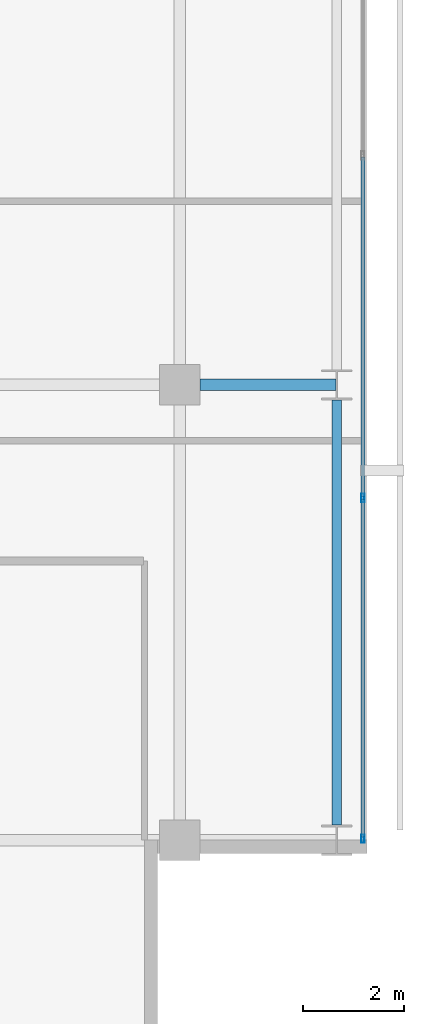
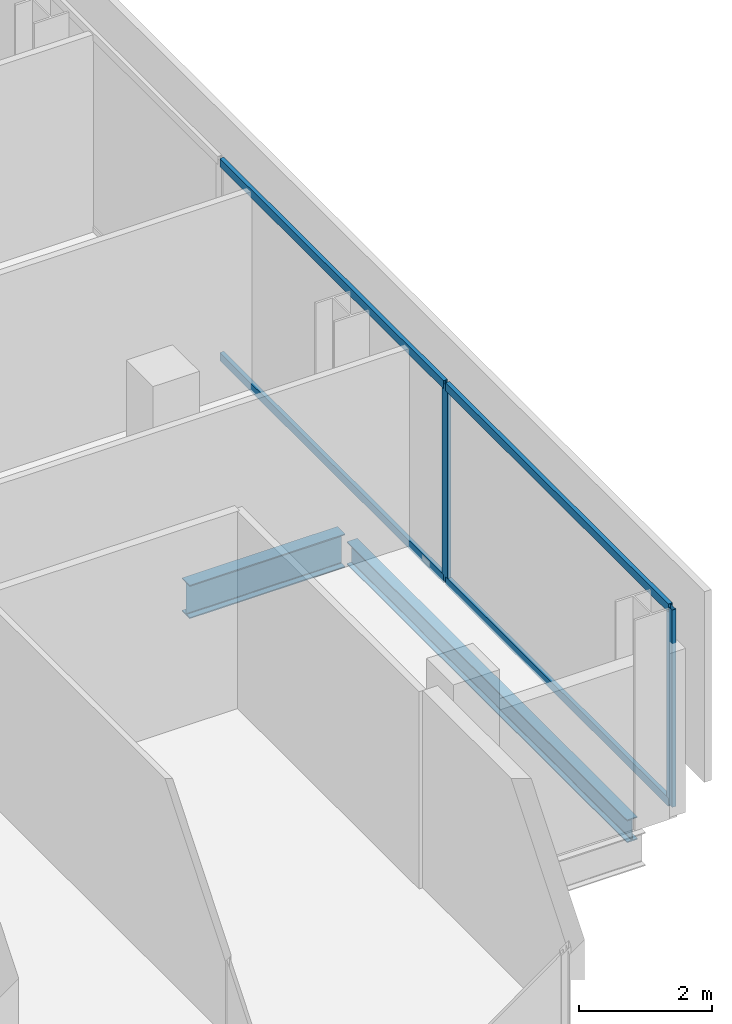
# One storey, part 15 of 33: 6 members, 2 beams, 1 element without a shape of its own.
"""IFC4 building model written with IfcOpenShell, lengths in metres."""

from ifc_helpers import new_model, si_unit, direction, frame, origin, origin_2d, place, context, subcontext, project, spatial, hollow_rectangle, i_section, extrude, material, layer, layer_set, material_profile, profile_set, type_object, element, aggregate, save


model = new_model("IFC4")

# Units and contexts
model_context = context("Model", 3, precision=1e-05, world=origin(), true_north=direction((0.0, 1.0)))
body_context = subcontext(model_context, "Body", "Model", "MODEL_VIEW")
ifc_project = project(units=[si_unit("LENGTHUNIT", "METRE"), si_unit("AREAUNIT", "SQUARE_METRE"), si_unit("VOLUMEUNIT", "CUBIC_METRE"), si_unit("PLANEANGLEUNIT", "RADIAN"), si_unit("MASSUNIT", "GRAM", prefix="KILO")], contexts=[model_context])

# Site, building, storey
site_placement = place(None, origin())
site = spatial("IfcSite", under=ifc_project, at=site_placement, CompositionType="ELEMENT")
building_placement = place(site_placement, origin())
building = spatial("IfcBuilding", under=site, at=building_placement, Name="Maruvema Waterfront Hotel and Observation Tower", CompositionType="ELEMENT")
storey_placement = place(building_placement, frame((0.0, 0.0, 138.949951171875)))
storey = spatial("IfcBuildingStorey", under=building, at=storey_placement, Name="L33", CompositionType="ELEMENT", Elevation=138.949951171875)

# Curtain wall, members
ifc_material_1 = material(Name="Anodised bronze aluminium and solar-control low-E IGU", Category="aluminium")
ifc_layer = layer(ifc_material_1, 0.159912109375, Name="Zone 2 Amber Inner Thermal Curtain Wall System CW-03")
ifc_layer_set = layer_set([ifc_layer], Name="Anodised bronze aluminium and solar-control low-E IGU")
curtain_wall_type = type_object("IfcCurtainWallType", Name="Zone 2 Amber Inner Thermal Curtain Wall System CW-03", PredefinedType="USERDEFINED", material=ifc_layer_set)
curtain_wall_placement = place(storey_placement, origin())
curtain_wall = element("IfcCurtainWall", 1, at=curtain_wall_placement, inside=storey, type_object=curtain_wall_type, Name="L33 Curtain Wall CW-L33-E", ObjectType="UNITISED CURTAIN WALL", PredefinedType="USERDEFINED")
ifc_material_2 = material(Name="Anodised architectural bronze aluminium", Category="aluminium")
ifc_material_profile_1 = material_profile(ifc_material_2, hollow_rectangle(XDim=0.070068359375, YDim=0.14990234375, WallThickness=0.00390625, at=origin_2d()), Name="ALU-T70x150")
ifc_profile_set_1 = profile_set([ifc_material_profile_1], Name="Anodised architectural bronze aluminium")
member_type_1 = type_object("IfcMemberType", Name="Curtain Wall Horizontal Transom ALU-T70x150", PredefinedType="USERDEFINED", material=ifc_profile_set_1)
member_1_placement = place(storey_placement, frame((62.419921875, 9.06005859375, 0.030029296875), z_axis=(0.0, 1.0, 0.0), x_axis=(-1.0, 0.0, 0.0)))
member_1 = element("IfcMember", 2, at=member_1_placement, type_object=member_type_1, Name="CW-03 transom 1.1", ObjectType="TRANSOM", PredefinedType="USERDEFINED", context=body_context, shape_type="SweptSolid", body=[
    extrude(hollow_rectangle(XDim=0.070068359375, YDim=0.14990234375, WallThickness=0.00390625, at=origin_2d()), origin(), (0.0, 0.0, 1.0), 6.676513671875),
])
member_2_placement = place(storey_placement, frame((62.419921875, 9.06005859375, 3.580078125), z_axis=(0.0, 1.0, 0.0), x_axis=(-1.0, 0.0, 0.0)))
member_2 = element("IfcMember", 3, at=member_2_placement, type_object=member_type_1, Name="CW-03 transom 1.2", ObjectType="TRANSOM", PredefinedType="USERDEFINED", context=body_context, shape_type="SweptSolid", body=[
    extrude(hollow_rectangle(XDim=0.070068359375, YDim=0.14990234375, WallThickness=0.00390625, at=origin_2d()), origin(), (0.0, 0.0, 1.0), 6.676513671875),
])
member_3_placement = place(storey_placement, frame((62.419921875, 15.796630859375, 0.030029296875), z_axis=(0.0, 1.0, 0.0), x_axis=(-1.0, 0.0, 0.0)))
member_3 = element("IfcMember", 4, at=member_3_placement, type_object=member_type_1, Name="CW-03 transom 2.1", ObjectType="TRANSOM", PredefinedType="USERDEFINED", context=body_context, shape_type="SweptSolid", body=[
    extrude(hollow_rectangle(XDim=0.070068359375, YDim=0.14990234375, WallThickness=0.00390625, at=origin_2d()), origin(), (0.0, 0.0, 1.0), 6.706787109375),
])
member_4_placement = place(storey_placement, frame((62.419921875, 15.796630859375, 3.580078125), z_axis=(0.0, 1.0, 0.0), x_axis=(-1.0, 0.0, 0.0)))
member_4 = element("IfcMember", 5, at=member_4_placement, type_object=member_type_1, Name="CW-03 transom 2.2", ObjectType="TRANSOM", PredefinedType="USERDEFINED", context=body_context, shape_type="SweptSolid", body=[
    extrude(hollow_rectangle(XDim=0.070068359375, YDim=0.14990234375, WallThickness=0.00390625, at=origin_2d()), origin(), (0.0, 0.0, 1.0), 6.706787109375),
])
ifc_material_3 = material(Name="Anodised architectural bronze aluminium", Category="aluminium")
ifc_material_profile_2 = material_profile(ifc_material_3, hollow_rectangle(XDim=0.06494140625, YDim=0.1650390625, WallThickness=0.00390625, at=origin_2d()), Name="ALU-M65x165")
ifc_profile_set_2 = profile_set([ifc_material_profile_2], Name="Anodised architectural bronze aluminium")
member_type_2 = type_object("IfcMemberType", Name="Curtain Wall Primary Mullion ALU-M65x165", PredefinedType="MULLION", material=ifc_profile_set_2)
member_5_placement = place(storey_placement, frame((62.419921875, 9.030029296875, 0.0), z_axis=(0.0, 0.0, 1.0), x_axis=(-1.0, 0.0, 0.0)))
member_5 = element("IfcMember", 6, at=member_5_placement, type_object=member_type_2, Name="CW-03 mullion 1", PredefinedType="MULLION", context=body_context, shape_type="SweptSolid", body=[
    extrude(hollow_rectangle(XDim=0.06494140625, YDim=0.1650390625, WallThickness=0.00390625, at=origin_2d()), origin(), (0.0, 0.0, 1.0), 3.610107421875),
])
member_6_placement = place(storey_placement, frame((62.419921875, 15.7666015625, 0.0), z_axis=(0.0, 0.0, 1.0), x_axis=(-1.0, 0.0, 0.0)))
member_6 = element("IfcMember", 7, at=member_6_placement, type_object=member_type_2, Name="CW-03 mullion 2", PredefinedType="MULLION", context=body_context, shape_type="SweptSolid", body=[
    extrude(hollow_rectangle(XDim=0.06494140625, YDim=0.1650390625, WallThickness=0.00390625, at=origin_2d()), origin(), (0.0, 0.0, 1.0), 3.610107421875),
])
aggregate(curtain_wall, [member_5, member_6, member_1, member_2, member_3, member_4])

# Beams
ifc_material_4 = material(Name="Steel ASTM A572 Grade 50", Category="steel")
ifc_material_profile_3 = material_profile(ifc_material_4, i_section(OverallWidth=0.180908203125, OverallDepth=0.4169921875, WebThickness=0.010986328125, FlangeThickness=0.018310546875, FilletRadius=0.014892578125, at=origin_2d()), Name="W410x85.0")
ifc_profile_set_3 = profile_set([ifc_material_profile_3], Name="Steel ASTM A572 Grade 50")
beam_type_1 = type_object("IfcBeamType", Name="Perimeter Spandrel Beam W410x85.0", PredefinedType="SPANDREL", material=ifc_profile_set_3)
beam_1_placement = place(storey_placement, frame((61.89990234375, 9.300048828125, -0.448486328125), z_axis=(0.0, 1.0, 0.0), x_axis=(-1.0, 0.0, 0.0)))
element("IfcBeam", 8, at=beam_1_placement, inside=storey, type_object=beam_type_1, Name="L33 Floor Girder NS-29", PredefinedType="SPANDREL", context=body_context, shape_type="SweptSolid", body=[
    extrude(i_section(OverallWidth=0.180908203125, OverallDepth=0.4169921875, WebThickness=0.010986328125, FlangeThickness=0.018310546875, FilletRadius=0.014892578125, at=origin_2d()), origin(), (0.0, 0.0, 1.0), 8.39990234375),
])
ifc_material_5 = material(Name="Steel ASTM A572 Grade 50", Category="steel")
ifc_material_profile_4 = material_profile(ifc_material_5, i_section(OverallWidth=0.22900390625, OverallDepth=0.612060546875, WebThickness=0.011962890625, FlangeThickness=0.01953125, FilletRadius=0.01806640625, at=origin_2d()), Name="W610x125.0")
ifc_profile_set_4 = profile_set([ifc_material_profile_4], Name="Steel ASTM A572 Grade 50")
beam_type_2 = type_object("IfcBeamType", Name="Primary Floor Girder W610x125.0", PredefinedType="BEAM", material=ifc_profile_set_4)
beam_2_placement = place(storey_placement, frame((59.199951171875, 18.0, -0.5458984375), z_axis=(1.0, 0.0, 0.0), x_axis=(0.0, 1.0, 0.0)))
element("IfcBeam", 9, at=beam_2_placement, inside=storey, type_object=beam_type_2, Name="L33 Floor Girder EW-17", PredefinedType="BEAM", context=body_context, shape_type="SweptSolid", body=[
    extrude(i_section(OverallWidth=0.22900390625, OverallDepth=0.612060546875, WebThickness=0.011962890625, FlangeThickness=0.01953125, FilletRadius=0.01806640625, at=origin_2d()), origin(), (0.0, 0.0, 1.0), 2.6875),
])

save(model, "model.ifc")
